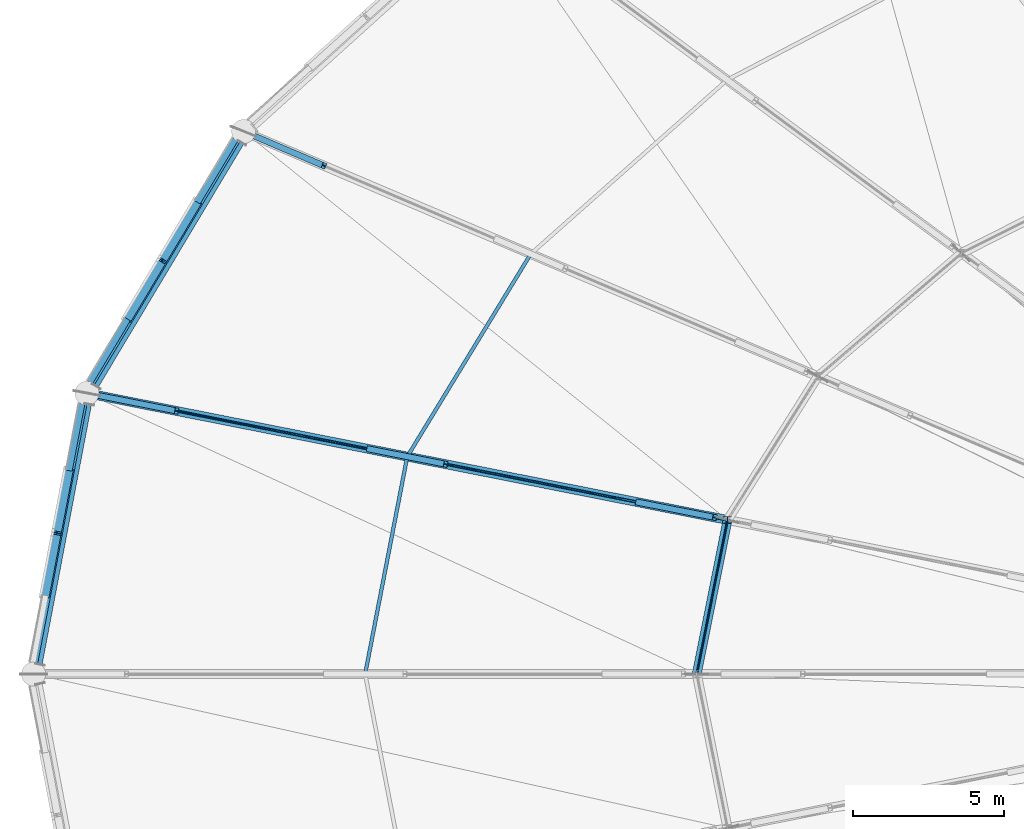
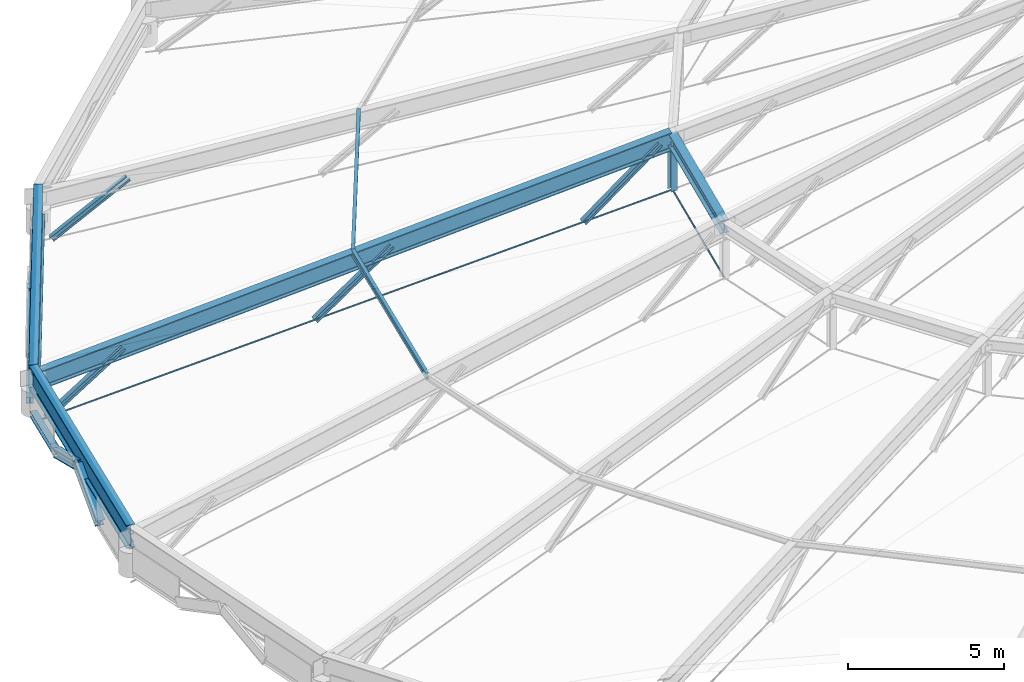
# One storey, part 11 of 83: 13 beams, 9 members.
"""IFC4 building model written with IfcOpenShell, lengths in metres."""

from ifc_helpers import new_model, si_unit, direction, frame, origin, origin_2d, place, context, subcontext, project, spatial, hollow_rectangle, circle, i_section, extrude, material, material_profile, profile_set, type_object, element, save


model = new_model("IFC4")

# Units and contexts
model_context = context("Model", 3, precision=1e-05, world=origin(), true_north=direction((0.0, 1.0)))
body_context = subcontext(model_context, "Body", "Model", "MODEL_VIEW")
ifc_project = project(units=[si_unit("LENGTHUNIT", "METRE"), si_unit("AREAUNIT", "SQUARE_METRE"), si_unit("VOLUMEUNIT", "CUBIC_METRE"), si_unit("PLANEANGLEUNIT", "RADIAN"), si_unit("MASSUNIT", "GRAM", prefix="KILO")], contexts=[model_context])

# Site, building, storey
site_placement = place(None, origin())
site = spatial("IfcSite", under=ifc_project, at=site_placement, CompositionType="ELEMENT")
building_placement = place(site_placement, origin())
building = spatial("IfcBuilding", under=site, at=building_placement, Name="Kivolera Central Railway Station", CompositionType="ELEMENT")
storey_placement = place(building_placement, frame((0.0, 0.0, 14.39990234375)))
storey = spatial("IfcBuildingStorey", under=building, at=storey_placement, Name="L03", CompositionType="ELEMENT", Elevation=14.39990234375)

# Beams
ifc_material_1 = material(Name="Steel S355", Category="steel")
ifc_material_profile_1 = material_profile(ifc_material_1, hollow_rectangle(XDim=0.14990234375, YDim=0.300048828125, WallThickness=0.012451171875, at=origin_2d()), Name="RHS 300x150x12.5")
ifc_profile_set_1 = profile_set([ifc_material_profile_1], Name="Steel S355")
beam_type_1 = type_object("IfcBeamType", Name="BM-ARCH-HOOD", PredefinedType="SPANDREL", material=ifc_profile_set_1)
beam_1_placement = place(storey_placement, frame((18.908935546875, 107.62109375, 0.735107421875), z_axis=(-0.513358106198, -0.858174489717, 0.0), x_axis=(0.858174489717, -0.513358106198, 0.0)))
element("IfcBeam", 1, at=beam_1_placement, inside=storey, type_object=beam_type_1, Name="Lantern Spandrel Hood Beam 11", PredefinedType="SPANDREL", context=body_context, shape_type="SweptSolid", body=[
    extrude(hollow_rectangle(XDim=0.14990234375, YDim=0.300048828125, WallThickness=0.012451171875, at=origin_2d()), origin(), (0.0, 0.0, 1.0), 9.408203125),
])
beam_2_placement = place(storey_placement, frame((13.847900390625, 98.94091796875, 0.735107421875), z_axis=(-0.186806482691, -0.982396731481, 0.0), x_axis=(0.982396731481, -0.186806482691, 0.0)))
element("IfcBeam", 2, at=beam_2_placement, inside=storey, type_object=beam_type_1, Name="Lantern Spandrel Hood Beam 12", PredefinedType="SPANDREL", context=body_context, shape_type="SweptSolid", body=[
    extrude(hollow_rectangle(XDim=0.14990234375, YDim=0.300048828125, WallThickness=0.012451171875, at=origin_2d()), origin(), (0.0, 0.0, 1.0), 8.7734375),
])
ifc_material_profile_2 = material_profile(ifc_material_1, i_section(OverallWidth=0.300048828125, OverallDepth=0.699951171875, WebThickness=0.01708984375, FlangeThickness=0.031982421875, FilletRadius=0.027099609375, at=origin_2d()), Name="HEB 700")
ifc_profile_set_2 = profile_set([ifc_material_profile_2], Name="Steel S355")
beam_type_2 = type_object("IfcBeamType", Name="BM-DRB-HEB700", PredefinedType="BEAM", material=ifc_profile_set_2)
beam_3_placement = place(storey_placement, frame((13.77197265625, 99.31689453125, 1.18017578125), z_axis=(0.959583816492, -0.189877206703, 0.207715058439), x_axis=(0.194110886341, 0.980979593979, 0.0)))
element("IfcBeam", 3, at=beam_3_placement, inside=storey, type_object=beam_type_2, Name="Oval Dome Radial Arch Rib Outer Segment DRB1-12", PredefinedType="BEAM", context=body_context, shape_type="SweptSolid", body=[
    extrude(i_section(OverallWidth=0.300048828125, OverallDepth=0.699951171875, WebThickness=0.01708984375, FlangeThickness=0.031982421875, FilletRadius=0.027099609375, at=origin_2d()), origin(), (0.0, 0.0, 1.0), 22.14501953125),
])
ifc_material_profile_3 = material_profile(ifc_material_1, i_section(OverallWidth=0.300048828125, OverallDepth=0.5, WebThickness=0.014404296875, FlangeThickness=0.028076171875, FilletRadius=0.027099609375, at=origin_2d()), Name="HEB 500")
ifc_profile_set_3 = profile_set([ifc_material_profile_3], Name="Steel S355")
beam_type_3 = type_object("IfcBeamType", Name="BM-HRG-HEB500", PredefinedType="BEAM", material=ifc_profile_set_3)
beam_4_placement = place(storey_placement, frame((35.02197265625, 95.112060546875, 5.780029296875), z_axis=(-0.196035080602, -0.980596883114, 0.0), x_axis=(0.980596883114, -0.196035080602, 0.0)))
element("IfcBeam", 4, at=beam_4_placement, inside=storey, type_object=beam_type_3, Name="Oval Dome Outer Hoop Ring Beam HRG1-12", PredefinedType="BEAM", context=body_context, shape_type="SweptSolid", body=[
    extrude(i_section(OverallWidth=0.300048828125, OverallDepth=0.5, WebThickness=0.014404296875, FlangeThickness=0.028076171875, FilletRadius=0.027099609375, at=origin_2d()), origin(), (0.0, 0.0, 1.0), 5.213134765625),
])
ifc_material_profile_4 = material_profile(ifc_material_1, i_section(OverallWidth=0.300048828125, OverallDepth=0.300048828125, WebThickness=0.010986328125, FlangeThickness=0.01904296875, FilletRadius=0.027099609375, at=origin_2d()), Name="HEB 300")
ifc_profile_set_4 = profile_set([ifc_material_profile_4], Name="Steel S355")
beam_type_4 = type_object("IfcBeamType", Name="BM-LANT-ARCH", PredefinedType="SPANDREL", material=ifc_profile_set_4)
beam_5_placement = place(storey_placement, frame((17.426025390625, 105.657958984375, 0.16015625), z_axis=(-0.476772627919, -0.797265877485, 0.370209375713), x_axis=(0.85824565616, -0.513239119399, 0.0)))
element("IfcBeam", 5, at=beam_5_placement, inside=storey, type_object=beam_type_4, Name="Oval Lantern Structural Arch Rib 11.3", PredefinedType="SPANDREL", context=body_context, shape_type="SweptSolid", body=[
    extrude(i_section(OverallWidth=0.300048828125, OverallDepth=0.300048828125, WebThickness=0.010986328125, FlangeThickness=0.01904296875, FilletRadius=0.027099609375, at=origin_2d()), origin(), (0.0, 0.0, 1.0), 2.430908203125),
])
beam_6_placement = place(storey_placement, frame((16.26708984375, 103.719970703125, 1.06005859375), z_axis=(-0.477160519348, -0.797074958456, -0.370120722709), x_axis=(0.858007506616, -0.513637146818, 0.0)))
element("IfcBeam", 6, at=beam_6_placement, inside=storey, type_object=beam_type_4, Name="Oval Lantern Structural Arch Rib 11.4", PredefinedType="SPANDREL", context=body_context, shape_type="SweptSolid", body=[
    extrude(i_section(OverallWidth=0.300048828125, OverallDepth=0.300048828125, WebThickness=0.010986328125, FlangeThickness=0.01904296875, FilletRadius=0.027099609375, at=origin_2d()), origin(), (0.0, 0.0, 1.0), 2.431396484375),
])
beam_7_placement = place(storey_placement, frame((13.162109375, 96.75, 0.16015625), z_axis=(-0.172036149681, -0.903349670724, 0.392890488058), x_axis=(0.982344653126, -0.18708014987, 0.0)))
element("IfcBeam", 7, at=beam_7_placement, inside=storey, type_object=beam_type_4, Name="Oval Lantern Structural Arch Rib 12.3", PredefinedType="SPANDREL", context=body_context, shape_type="SweptSolid", body=[
    extrude(i_section(OverallWidth=0.300048828125, OverallDepth=0.300048828125, WebThickness=0.010986328125, FlangeThickness=0.01904296875, FilletRadius=0.027099609375, at=origin_2d()), origin(), (0.0, 0.0, 1.0), 2.29052734375),
])
beam_8_placement = place(storey_placement, frame((12.76806640625, 94.680908203125, 1.06005859375), z_axis=(-0.171638892199, -0.903396256206, -0.392957115928), x_axis=(0.982425727278, -0.186653932136, 0.0)))
element("IfcBeam", 8, at=beam_8_placement, inside=storey, type_object=beam_type_4, Name="Oval Lantern Structural Arch Rib 12.4", PredefinedType="SPANDREL", context=body_context, shape_type="SweptSolid", body=[
    extrude(i_section(OverallWidth=0.300048828125, OverallDepth=0.300048828125, WebThickness=0.010986328125, FlangeThickness=0.01904296875, FilletRadius=0.027099609375, at=origin_2d()), origin(), (0.0, 0.0, 1.0), 2.2900390625),
])
ifc_material_profile_5 = material_profile(ifc_material_1, i_section(OverallWidth=0.239990234375, OverallDepth=0.22998046875, WebThickness=0.007568359375, FlangeThickness=0.011962890625, FilletRadius=0.02099609375, at=origin_2d()), Name="HEA 240")
ifc_profile_set_5 = profile_set([ifc_material_profile_5], Name="Steel S355")
beam_type_5 = type_object("IfcBeamType", Name="BM-LANT-HTIE", PredefinedType="SPANDREL", material=ifc_profile_set_5)
beam_9_placement = place(storey_placement, frame((18.681884765625, 107.757080078125, 0.16015625), z_axis=(-0.51340920348, -0.858143921369, 0.0), x_axis=(0.858143921369, -0.51340920348, 0.0)))
element("IfcBeam", 9, at=beam_9_placement, inside=storey, type_object=beam_type_5, Name="Lantern Arch Spandrel Haunch Tie 11L", PredefinedType="SPANDREL", context=body_context, shape_type="SweptSolid", body=[
    extrude(i_section(OverallWidth=0.239990234375, OverallDepth=0.22998046875, WebThickness=0.007568359375, FlangeThickness=0.011962890625, FilletRadius=0.02099609375, at=origin_2d()), origin(), (0.0, 0.0, 1.0), 2.446044921875),
])
beam_10_placement = place(storey_placement, frame((15.10693359375, 101.781982421875, 0.16015625), z_axis=(-0.51345317961, -0.858117609858, 0.0), x_axis=(0.858117609858, -0.51345317961, 0.0)))
element("IfcBeam", 10, at=beam_10_placement, inside=storey, type_object=beam_type_5, Name="Lantern Arch Spandrel Haunch Tie 11R", PredefinedType="SPANDREL", context=body_context, shape_type="SweptSolid", body=[
    extrude(i_section(OverallWidth=0.239990234375, OverallDepth=0.22998046875, WebThickness=0.007568359375, FlangeThickness=0.011962890625, FilletRadius=0.02099609375, at=origin_2d()), origin(), (0.0, 0.0, 1.0), 2.44580078125),
])
beam_11_placement = place(storey_placement, frame((13.587890625, 98.990966796875, 0.16015625), z_axis=(-0.186659612819, -0.982424647972, 0.0), x_axis=(0.982424647972, -0.186659612819, 0.0)))
element("IfcBeam", 11, at=beam_11_placement, inside=storey, type_object=beam_type_5, Name="Lantern Arch Spandrel Haunch Tie 12L", PredefinedType="SPANDREL", context=body_context, shape_type="SweptSolid", body=[
    extrude(i_section(OverallWidth=0.239990234375, OverallDepth=0.22998046875, WebThickness=0.007568359375, FlangeThickness=0.011962890625, FilletRadius=0.02099609375, at=origin_2d()), origin(), (0.0, 0.0, 1.0), 2.281005859375),
])
ifc_material_profile_6 = material_profile(ifc_material_1, i_section(OverallWidth=0.300048828125, OverallDepth=0.89990234375, WebThickness=0.0185546875, FlangeThickness=0.034912109375, FilletRadius=0.030029296875, at=origin_2d()), Name="HEB 900")
ifc_profile_set_6 = profile_set([ifc_material_profile_6], Name="Steel S355")
beam_type_6 = type_object("IfcBeamType", Name="BM-ORB-HEB900", PredefinedType="BEAM", material=ifc_profile_set_6)
beam_12_placement = place(storey_placement, frame((18.967041015625, 108.0, 1.35009765625), z_axis=(-0.513420234648, -0.85813732156, 0.0), x_axis=(0.85813732156, -0.513420234648, 0.0)))
element("IfcBeam", 12, at=beam_12_placement, inside=storey, type_object=beam_type_6, Name="Oval Dome Compression Ring Beam ORB-11", PredefinedType="BEAM", context=body_context, shape_type="SweptSolid", body=[
    extrude(i_section(OverallWidth=0.300048828125, OverallDepth=0.89990234375, WebThickness=0.0185546875, FlangeThickness=0.034912109375, FilletRadius=0.030029296875, at=origin_2d()), origin(), (0.0, 0.0, 1.0), 10.11865234375),
])
beam_13_placement = place(storey_placement, frame((13.77197265625, 99.31689453125, 1.35009765625), z_axis=(-0.186840028686, -0.982390351989, 0.0), x_axis=(0.982390351989, -0.186840028686, 0.0)))
element("IfcBeam", 13, at=beam_13_placement, inside=storey, type_object=beam_type_6, Name="Oval Dome Compression Ring Beam ORB-12", PredefinedType="BEAM", context=body_context, shape_type="SweptSolid", body=[
    extrude(i_section(OverallWidth=0.300048828125, OverallDepth=0.89990234375, WebThickness=0.0185546875, FlangeThickness=0.034912109375, FilletRadius=0.030029296875, at=origin_2d()), origin(), (0.0, 0.0, 1.0), 9.48388671875),
])

# Members
ifc_material_2 = material(Name="Spiral strand steel S460", Category="steel")
ifc_material_profile_7 = material_profile(ifc_material_2, circle(Radius=0.02392578125, at=origin_2d()), Name="CABLE D48")
ifc_profile_set_7 = profile_set([ifc_material_profile_7], Name="Spiral strand steel S460")
member_type_1 = type_object("IfcMemberType", Name="MEM-CABLE-D48", PredefinedType="USERDEFINED", material=ifc_profile_set_7)
member_1_placement = place(storey_placement, frame((35.02197265625, 95.112060546875, 3.780029296875), z_axis=(-0.196035080602, -0.980596883114, 0.0), x_axis=(0.980596883114, -0.196035080602, 0.0)))
element("IfcMember", 14, at=member_1_placement, inside=storey, type_object=member_type_1, Name="Dome Hoop Tension Cable HC1-12", ObjectType="TENSION_CABLE", PredefinedType="USERDEFINED", context=body_context, shape_type="SweptSolid", body=[
    extrude(circle(Radius=0.02392578125, at=origin_2d()), origin(), (0.0, 0.0, 1.0), 5.213134765625),
])
ifc_material_profile_8 = material_profile(ifc_material_2, circle(Radius=0.031982421875, at=origin_2d()), Name="CABLE D64")
ifc_profile_set_8 = profile_set([ifc_material_profile_8], Name="Spiral strand steel S460")
member_type_2 = type_object("IfcMemberType", Name="MEM-CABLE-D64", PredefinedType="USERDEFINED", material=ifc_profile_set_8)
member_2_placement = place(storey_placement, frame((13.77197265625, 99.31689453125, -0.449951171875), z_axis=(0.962795124398, -0.190512642779, 0.191651979841), x_axis=(0.194110886341, 0.980979593979, 0.0)))
element("IfcMember", 15, at=member_2_placement, inside=storey, type_object=member_type_2, Name="Dome Radial Spiral-Strand Tension Cable RC1-12", ObjectType="TENSION_CABLE", PredefinedType="USERDEFINED", context=body_context, shape_type="SweptSolid", body=[
    extrude(circle(Radius=0.031982421875, at=origin_2d()), origin(), (0.0, 0.0, 1.0), 22.071044921875),
])
ifc_material_profile_9 = material_profile(ifc_material_1, i_section(OverallWidth=0.1201171875, OverallDepth=0.239990234375, WebThickness=0.006103515625, FlangeThickness=0.009765625, FilletRadius=0.014892578125, at=origin_2d()), Name="IPE 240")
ifc_profile_set_9 = profile_set([ifc_material_profile_9], Name="Steel S355")
member_type_3 = type_object("IfcMemberType", Name="MEM-PUR-IPE240", PredefinedType="PURLIN", material=ifc_profile_set_9)
member_3_placement = place(storey_placement, frame((28.492919921875, 103.93798828125, 3.775146484375), z_axis=(-0.520239086032, -0.854020663313, 0.0), x_axis=(0.854020663313, -0.520239086032, 0.0)))
element("IfcMember", 16, at=member_3_placement, inside=storey, type_object=member_type_3, Name="Dome Outer Hoop Purlin DPUR1-11", PredefinedType="PURLIN", context=body_context, shape_type="SweptSolid", body=[
    extrude(i_section(OverallWidth=0.1201171875, OverallDepth=0.239990234375, WebThickness=0.006103515625, FlangeThickness=0.009765625, FilletRadius=0.014892578125, at=origin_2d()), origin(), (0.0, 0.0, 1.0), 7.873291015625),
])
member_4_placement = place(storey_placement, frame((24.39697265625, 97.214111328125, 3.775146484375), z_axis=(-0.19011281598, -0.981762250853, 0.0), x_axis=(0.981762250853, -0.19011281598, 0.0)))
element("IfcMember", 17, at=member_4_placement, inside=storey, type_object=member_type_3, Name="Dome Outer Hoop Purlin DPUR1-12", PredefinedType="PURLIN", context=body_context, shape_type="SweptSolid", body=[
    extrude(i_section(OverallWidth=0.1201171875, OverallDepth=0.239990234375, WebThickness=0.006103515625, FlangeThickness=0.009765625, FilletRadius=0.014892578125, at=origin_2d()), origin(), (0.0, 0.0, 1.0), 7.34814453125),
])
ifc_material_profile_10 = material_profile(ifc_material_1, i_section(OverallWidth=0.239990234375, OverallDepth=0.22998046875, WebThickness=0.007568359375, FlangeThickness=0.011962890625, FilletRadius=0.02099609375, at=origin_2d()), Name="HEA 240")
ifc_profile_set_10 = profile_set([ifc_material_profile_10], Name="Steel S355")
member_type_4 = type_object("IfcMemberType", Name="MEM-RAF-HEA240", PredefinedType="STRUT", material=ifc_profile_set_10)
member_5_placement = place(storey_placement, frame((35.02197265625, 95.112060546875, 3.780029296875), z_axis=(0.0, 0.0, 1.0), x_axis=(1.0, 0.0, 0.0)))
element("IfcMember", 18, at=member_5_placement, inside=storey, type_object=member_type_4, Name="Dome Ring Spreader Post DP1-12", PredefinedType="STRUT", context=body_context, shape_type="SweptSolid", body=[
    extrude(i_section(OverallWidth=0.239990234375, OverallDepth=0.22998046875, WebThickness=0.007568359375, FlangeThickness=0.011962890625, FilletRadius=0.02099609375, at=origin_2d()), origin(), (0.0, 0.0, 1.0), 2.0),
])
ifc_material_profile_11 = material_profile(ifc_material_1, i_section(OverallWidth=0.199951171875, OverallDepth=0.199951171875, WebThickness=0.009033203125, FlangeThickness=0.014892578125, FilletRadius=0.01806640625, at=origin_2d()), Name="HEB 200")
ifc_profile_set_11 = profile_set([ifc_material_profile_11], Name="Steel S355")
member_type_5 = type_object("IfcMemberType", Name="MEM-RAF-HEB200", PredefinedType="RAFTER", material=ifc_profile_set_11)
member_6_placement = place(storey_placement, frame((19.347900390625, 107.837890625, -0.364990234375), z_axis=(0.69019647552, -0.294608640821, 0.660934621528), x_axis=(0.392579383013, 0.919718124228, 0.0)))
element("IfcMember", 19, at=member_6_placement, inside=storey, type_object=member_type_5, Name="Dome Radial Truss Raking Web DWEB1-11.1", PredefinedType="RAFTER", context=body_context, shape_type="SweptSolid", body=[
    extrude(i_section(OverallWidth=0.199951171875, OverallDepth=0.199951171875, WebThickness=0.009033203125, FlangeThickness=0.014892578125, FilletRadius=0.01806640625, at=origin_2d()), origin(), (0.0, 0.0, 1.0), 3.312255859375),
])
member_7_placement = place(storey_placement, frame((14.197021484375, 99.23291015625, -0.364990234375), z_axis=(0.75032949901, -0.148557338818, 0.644155540222), x_axis=(0.194219376983, 0.980958120209, 0.0)))
element("IfcMember", 20, at=member_7_placement, inside=storey, type_object=member_type_5, Name="Dome Radial Truss Raking Web DWEB1-12.1", PredefinedType="RAFTER", context=body_context, shape_type="SweptSolid", body=[
    extrude(i_section(OverallWidth=0.199951171875, OverallDepth=0.199951171875, WebThickness=0.009033203125, FlangeThickness=0.014892578125, FilletRadius=0.01806640625, at=origin_2d()), origin(), (0.0, 0.0, 1.0), 3.398681640625),
])
member_8_placement = place(storey_placement, frame((23.1220703125, 97.467041015625, 1.4111328125), z_axis=(0.728383545201, -0.144282006225, 0.669806026966), x_axis=(0.194309748396, 0.980940223295, 0.0)))
element("IfcMember", 21, at=member_8_placement, inside=storey, type_object=member_type_5, Name="Dome Radial Truss Raking Web DWEB1-12.2", PredefinedType="RAFTER", context=body_context, shape_type="SweptSolid", body=[
    extrude(i_section(OverallWidth=0.199951171875, OverallDepth=0.199951171875, WebThickness=0.009033203125, FlangeThickness=0.014892578125, FilletRadius=0.01806640625, at=origin_2d()), origin(), (0.0, 0.0, 1.0), 3.5009765625),
])
member_9_placement = place(storey_placement, frame((32.047119140625, 95.700927734375, 3.18798828125), z_axis=(0.707014279237, -0.139994784514, 0.69320434885), x_axis=(0.194237271677, 0.980954577079, 0.0)))
element("IfcMember", 22, at=member_9_placement, inside=storey, type_object=member_type_5, Name="Dome Radial Truss Raking Web DWEB1-12.3", PredefinedType="RAFTER", context=body_context, shape_type="SweptSolid", body=[
    extrude(i_section(OverallWidth=0.199951171875, OverallDepth=0.199951171875, WebThickness=0.009033203125, FlangeThickness=0.014892578125, FilletRadius=0.01806640625, at=origin_2d()), origin(), (0.0, 0.0, 1.0), 3.6064453125),
])

save(model, "model.ifc")
